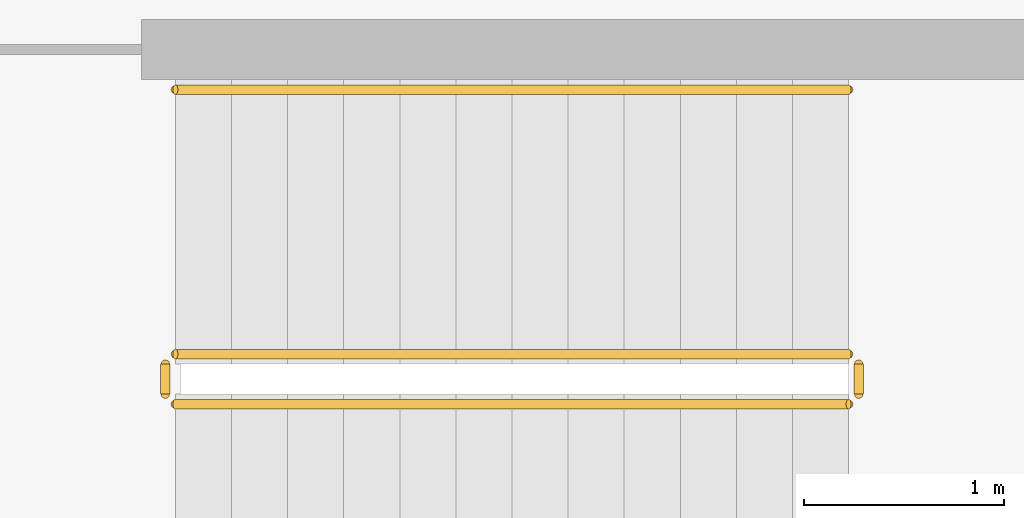
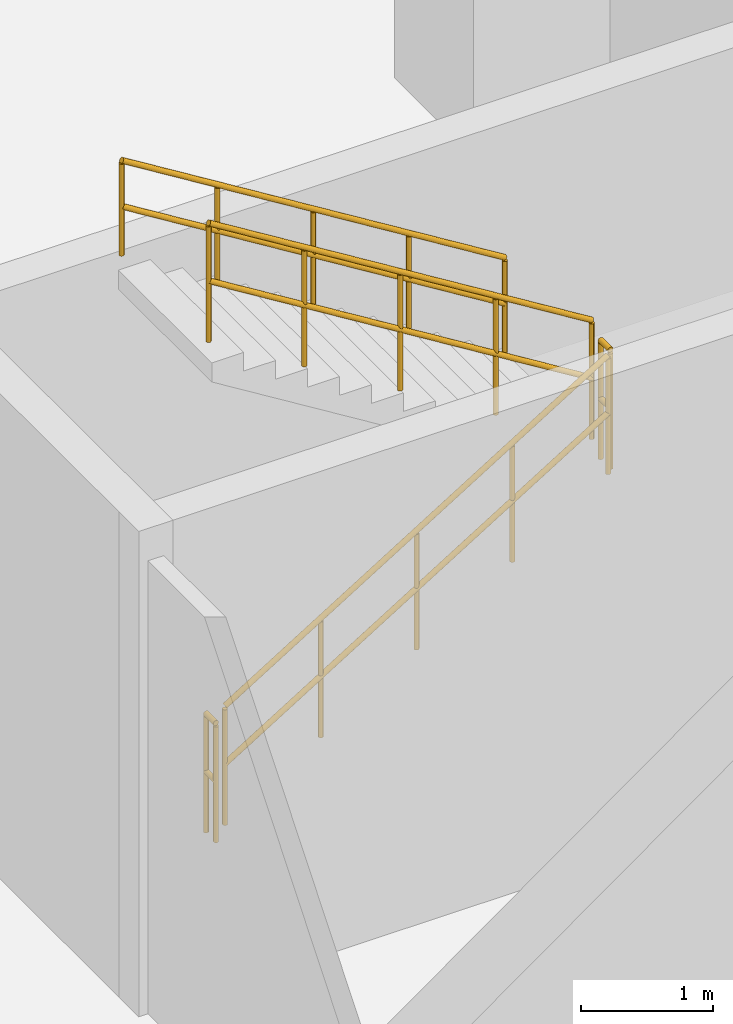
# One storey, part 20 of 22: 5 railings.
"""IFC4 building model written with IfcOpenShell, lengths in metres."""

from ifc_helpers import new_model, si_unit, direction, frame, origin, origin_2d, place, context, subcontext, project, spatial, circle, extrude, material, type_object, element, save


model = new_model("IFC4")

# Units and contexts
model_context = context("Model", 3, precision=1e-05, world=origin(), true_north=direction((0.0, 1.0)))
body_context = subcontext(model_context, "Body", "Model", "MODEL_VIEW")
ifc_project = project(units=[si_unit("LENGTHUNIT", "METRE"), si_unit("AREAUNIT", "SQUARE_METRE"), si_unit("VOLUMEUNIT", "CUBIC_METRE"), si_unit("PLANEANGLEUNIT", "RADIAN"), si_unit("MASSUNIT", "GRAM", prefix="KILO")], contexts=[model_context])

# Site, building, storey
site_placement = place(None, origin())
site = spatial("IfcSite", under=ifc_project, at=site_placement, CompositionType="ELEMENT")
building_placement = place(site_placement, origin())
building = spatial("IfcBuilding", under=site, at=building_placement, Name="Tarnavaz Court Tower", CompositionType="ELEMENT")
storey_placement = place(building_placement, frame((0.0, 0.0, 14.39990234375)))
storey = spatial("IfcBuildingStorey", under=building, at=storey_placement, Name="L03", CompositionType="ELEMENT", Elevation=14.39990234375)

# Railings
ifc_material_1 = material(Name="Brushed Stainless Steel", Category="steel")
railing_type_1 = type_object("IfcRailingType", Name="RL-HANDRAIL-900", PredefinedType="HANDRAIL", material=ifc_material_1)
railing_1_placement = place(storey_placement, frame((24.47998046875, -19.760009765625, 2.423095703125)))
element("IfcRailing", 1, at=railing_1_placement, inside=storey, type_object=railing_type_1, Name="L03 ST-P1 stair handrail 2", PredefinedType="HANDRAIL", context=body_context, shape_type="SweptSolid", body=[
    extrude(circle(Radius=0.02392578125, at=origin_2d()), frame((0.0, 0.0, 0.8759765625), z_axis=(-0.850606129759, 0.0, 0.525803396734), x_axis=(0.0, -1.0, 0.0)), (0.0, 0.0, 1.0), 3.949951171875),
    extrude(circle(Radius=0.02392578125, at=origin_2d()), frame((0.0, 0.0, 0.449951171875), z_axis=(-0.850606129759, 0.0, 0.525803396734), x_axis=(0.0, -1.0, 0.0)), (0.0, 0.0, 1.0), 3.949951171875),
    extrude(circle(Radius=0.02099609375, at=origin_2d()), origin(), (0.0, 0.0, 1.0), 0.851806640625),
    extrude(circle(Radius=0.02099609375, at=origin_2d()), frame((-0.83984375, 0.0, 0.519287109375)), (0.0, 0.0, 1.0), 0.851806640625),
    extrude(circle(Radius=0.02099609375, at=origin_2d()), frame((-1.679931640625, 0.0, 1.03857421875)), (0.0, 0.0, 1.0), 0.851806640625),
    extrude(circle(Radius=0.02099609375, at=origin_2d()), frame((-2.52001953125, 0.0, 1.5576171875)), (0.0, 0.0, 1.0), 0.851806640625),
    extrude(circle(Radius=0.02099609375, at=origin_2d()), frame((-3.35986328125, 0.0, 2.076904296875)), (0.0, 0.0, 1.0), 0.851806640625),
])
ifc_material_2 = material(Name="Galvanized Painted Tubular Steel", Category="steel")
railing_type_2 = type_object("IfcRailingType", Name="RL-STGUARD-1120", PredefinedType="GUARDRAIL", material=ifc_material_2)
railing_2_placement = place(storey_placement, frame((21.1201171875, -21.330078125, 0.173095703125)))
element("IfcRailing", 2, at=railing_2_placement, inside=storey, type_object=railing_type_2, Name="L03 ST-P1 stair guard 1", PredefinedType="GUARDRAIL", context=body_context, shape_type="SweptSolid", body=[
    extrude(circle(Radius=0.02392578125, at=origin_2d()), frame((0.0, 0.0, 1.09619140625), z_axis=(0.850606129759, 0.0, 0.525803396734), x_axis=(0.0, 1.0, 0.0)), (0.0, 0.0, 1.0), 3.949951171875),
    extrude(circle(Radius=0.02392578125, at=origin_2d()), frame((0.0, 0.0, 0.56005859375), z_axis=(0.850606129759, 0.0, 0.525803396734), x_axis=(0.0, 1.0, 0.0)), (0.0, 0.0, 1.0), 3.949951171875),
    extrude(circle(Radius=0.02099609375, at=origin_2d()), origin(), (0.0, 0.0, 1.0), 1.072021484375),
    extrude(circle(Radius=0.02099609375, at=origin_2d()), frame((0.83984375, 0.0, 0.519287109375)), (0.0, 0.0, 1.0), 1.072021484375),
    extrude(circle(Radius=0.02099609375, at=origin_2d()), frame((1.679931640625, 0.0, 1.03857421875)), (0.0, 0.0, 1.0), 1.072021484375),
    extrude(circle(Radius=0.02099609375, at=origin_2d()), frame((2.52001953125, 0.0, 1.5576171875)), (0.0, 0.0, 1.0), 1.072021484375),
    extrude(circle(Radius=0.02099609375, at=origin_2d()), frame((3.35986328125, 0.0, 2.076904296875)), (0.0, 0.0, 1.0), 1.072021484375),
])
railing_3_placement = place(storey_placement, frame((24.530029296875, -21.280029296875, 2.25)))
element("IfcRailing", 3, at=railing_3_placement, inside=storey, type_object=railing_type_2, Name="L03 ST-P1 stair guard 2", PredefinedType="GUARDRAIL", context=body_context, shape_type="SweptSolid", body=[
    extrude(circle(Radius=0.02392578125, at=origin_2d()), frame((0.0, 0.0, 1.09619140625), z_axis=(0.0, 1.0, 0.0), x_axis=(-1.0, 0.0, 0.0)), (0.0, 0.0, 1.0), 0.150146484375),
    extrude(circle(Radius=0.02392578125, at=origin_2d()), frame((0.0, 0.0, 0.56005859375), z_axis=(0.0, 1.0, 0.0), x_axis=(-1.0, 0.0, 0.0)), (0.0, 0.0, 1.0), 0.150146484375),
    extrude(circle(Radius=0.02099609375, at=origin_2d()), origin(), (0.0, 0.0, 1.0), 1.072021484375),
    extrude(circle(Radius=0.02099609375, at=origin_2d()), frame((0.0, 0.150146484375, 0.0)), (0.0, 0.0, 1.0), 1.072021484375),
])
railing_4_placement = place(storey_placement, frame((24.47998046875, -21.080078125, 2.423095703125)))
element("IfcRailing", 4, at=railing_4_placement, inside=storey, type_object=railing_type_2, Name="L03 ST-P1 stair guard 3", PredefinedType="GUARDRAIL", context=body_context, shape_type="SweptSolid", body=[
    extrude(circle(Radius=0.02392578125, at=origin_2d()), frame((0.0, 0.0, 1.09619140625), z_axis=(-0.850606129759, 0.0, 0.525803396734), x_axis=(0.0, -1.0, 0.0)), (0.0, 0.0, 1.0), 3.949951171875),
    extrude(circle(Radius=0.02392578125, at=origin_2d()), frame((0.0, 0.0, 0.56005859375), z_axis=(-0.850606129759, 0.0, 0.525803396734), x_axis=(0.0, -1.0, 0.0)), (0.0, 0.0, 1.0), 3.949951171875),
    extrude(circle(Radius=0.02099609375, at=origin_2d()), origin(), (0.0, 0.0, 1.0), 1.072021484375),
    extrude(circle(Radius=0.02099609375, at=origin_2d()), frame((-0.83984375, 0.0, 0.519287109375)), (0.0, 0.0, 1.0), 1.072021484375),
    extrude(circle(Radius=0.02099609375, at=origin_2d()), frame((-1.679931640625, 0.0, 1.03857421875)), (0.0, 0.0, 1.0), 1.072021484375),
    extrude(circle(Radius=0.02099609375, at=origin_2d()), frame((-2.52001953125, 0.0, 1.5576171875)), (0.0, 0.0, 1.0), 1.072021484375),
    extrude(circle(Radius=0.02099609375, at=origin_2d()), frame((-3.35986328125, 0.0, 2.076904296875)), (0.0, 0.0, 1.0), 1.072021484375),
])
railing_5_placement = place(storey_placement, frame((21.070068359375, -21.280029296875, 0.0)))
element("IfcRailing", 5, at=railing_5_placement, inside=storey, type_object=railing_type_2, Name="L03 ST-P1 stair guard 4", PredefinedType="GUARDRAIL", context=body_context, shape_type="SweptSolid", body=[
    extrude(circle(Radius=0.02392578125, at=origin_2d()), frame((0.0, 0.0, 1.09619140625), z_axis=(0.0, 1.0, 0.0), x_axis=(-1.0, 0.0, 0.0)), (0.0, 0.0, 1.0), 0.150146484375),
    extrude(circle(Radius=0.02392578125, at=origin_2d()), frame((0.0, 0.0, 0.56005859375), z_axis=(0.0, 1.0, 0.0), x_axis=(-1.0, 0.0, 0.0)), (0.0, 0.0, 1.0), 0.150146484375),
    extrude(circle(Radius=0.02099609375, at=origin_2d()), origin(), (0.0, 0.0, 1.0), 1.072021484375),
    extrude(circle(Radius=0.02099609375, at=origin_2d()), frame((0.0, 0.150146484375, 0.0)), (0.0, 0.0, 1.0), 1.072021484375),
])

save(model, "model.ifc")
